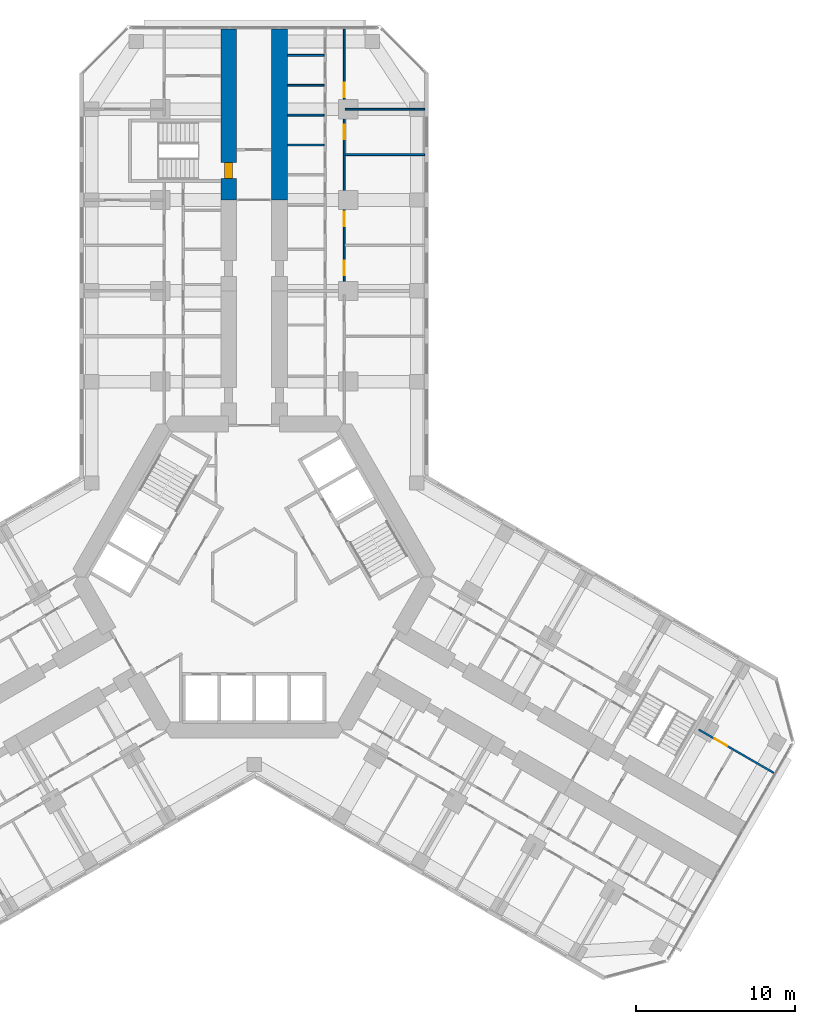
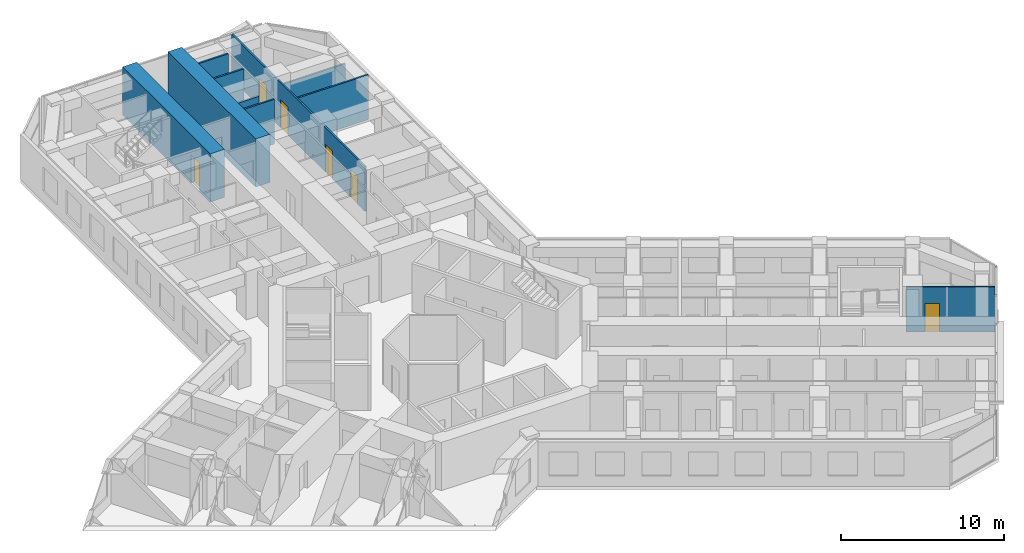
# One storey, part 20 of 22: 10 walls, 6 doors, 6 openings.
"""IFC4 building model written with IfcOpenShell, lengths in metres."""

from ifc_helpers import new_model, si_unit, direction, frame, frame_2d, origin, place, context, subcontext, project, spatial, rectangle, extrude, material, layer, layer_set, type_object, element, fill, save


model = new_model("IFC4")

# Units and contexts
model_context = context("Model", 3, precision=1e-05, world=origin(), true_north=direction((0.0, 1.0)))
body_context = subcontext(model_context, "Body", "Model", "MODEL_VIEW")
ifc_project = project(units=[si_unit("LENGTHUNIT", "METRE"), si_unit("AREAUNIT", "SQUARE_METRE"), si_unit("VOLUMEUNIT", "CUBIC_METRE"), si_unit("PLANEANGLEUNIT", "RADIAN"), si_unit("MASSUNIT", "GRAM", prefix="KILO")], contexts=[model_context])

# Site, building, storey
site_placement = place(None, origin())
site = spatial("IfcSite", under=ifc_project, at=site_placement, CompositionType="ELEMENT")
building_placement = place(site_placement, origin())
building = spatial("IfcBuilding", under=site, at=building_placement, Name="Kosmar Iwan School Tower", CompositionType="ELEMENT")
storey_placement = place(building_placement, frame((0.0, 0.0, 95.199951171875)))
storey = spatial("IfcBuildingStorey", under=building, at=storey_placement, Name="L23", CompositionType="ELEMENT", Elevation=95.199951171875)

# Wall, opening, door
ifc_material_1 = material(Name="Concrete C50/60", Category="concrete")
ifc_layer_1 = layer(ifc_material_1, 1.0)
ifc_layer_set_1 = layer_set([ifc_layer_1], Name="Corridor buttress wall 1000")
wall_type_1 = type_object("IfcWallType", Name="Corridor buttress wall 1000", PredefinedType="SHEAR", material=ifc_layer_set_1)
wall_1_placement = place(storey_placement, frame((-1.60009765625, 23.64990234375, 0.0), z_axis=(0.0, 0.0, 1.0), x_axis=(0.0, 1.0, 0.0)))
wall_1 = element("IfcWall", 1, at=wall_1_placement, inside=storey, type_object=wall_type_1, Name="Corridor wall AL bay 3", PredefinedType="SHEAR", context=body_context, shape_type="SweptSolid", body=[
    extrude(rectangle(XDim=10.7451171875, YDim=1.0, at=frame_2d((5.37255859375, 0.0))), origin(), (0.0, 0.0, 1.0), 3.60009765625),
])
opening_1_placement = place(wall_1_placement, frame((1.35009765625, 0.0, 0.0)))
opening_1 = element("IfcOpeningElement", 2, at=opening_1_placement, cuts=wall_1, Name="Opening D6", PredefinedType="OPENING", context=body_context, shape_type="SweptSolid", body=[
    extrude(rectangle(XDim=1.0, YDim=2.10009765625, at=frame_2d((0.5, 1.050048828125))), frame((0.0, 0.511962890625, 0.0), z_axis=(0.0, -1.0, 0.0), x_axis=(1.0, 0.0, 0.0)), (0.0, 0.0, 1.0), 1.02392578125),
])
ifc_material_2 = material(Name="Steel fire door", Category="steel")
door_type_1 = type_object("IfcDoorType", Name="Stair door 1000x2100", OperationType="SINGLE_SWING_LEFT", PredefinedType="DOOR", material=ifc_material_2)
door_1_placement = place(opening_1_placement, origin())
door_1 = element("IfcDoor", 3, at=door_1_placement, inside=storey, type_object=door_type_1, Name="Stair WS1 door L23", OperationType="SINGLE_SWING_LEFT", OverallHeight=2.10009765625, OverallWidth=1.0, PredefinedType="DOOR", context=body_context, shape_type="SweptSolid", body=[
    extrude(rectangle(XDim=1.0, YDim=2.10009765625, at=frame_2d((0.5, 1.050048828125))), frame((0.0, 0.25, 0.0), z_axis=(0.0, -1.0, 0.0), x_axis=(1.0, 0.0, 0.0)), (0.0, 0.0, 1.0), 0.5),
])
fill(opening_1, door_1)

# Wall
wall_2_placement = place(storey_placement, frame((1.60009765625, 23.64990234375, 0.0), z_axis=(0.0, 0.0, 1.0), x_axis=(0.0, 1.0, 0.0)))
element("IfcWall", 4, at=wall_2_placement, inside=storey, type_object=wall_type_1, Name="Corridor wall AR bay 3", PredefinedType="SHEAR", context=body_context, shape_type="SweptSolid", body=[
    extrude(rectangle(XDim=10.7451171875, YDim=1.0, at=frame_2d((5.37255859375, 0.0))), origin(), (0.0, 0.0, 1.0), 3.60009765625),
])

# Wall, openings, doors
ifc_material_3 = material(Name="Gypsum board on steel studs", Category="steel")
ifc_layer_2 = layer(ifc_material_3, 0.1201171875)
ifc_layer_set_2 = layer_set([ifc_layer_2], Name="Dwelling partition 120")
wall_type_2 = type_object("IfcWallType", Name="Dwelling partition 120", PredefinedType="PARTITIONING", material=ifc_layer_set_2)
wall_3_placement = place(storey_placement, frame((5.64990234375, 18.050048828125, 0.0), z_axis=(0.0, 0.0, 1.0), x_axis=(0.0, 1.0, 0.0)))
wall_3 = element("IfcWall", 5, at=wall_3_placement, inside=storey, type_object=wall_type_2, Name="Partition L23-AR2-W2", PredefinedType="PARTITIONING", context=body_context, shape_type="SweptSolid", body=[
    extrude(rectangle(XDim=16.344970703125, YDim=0.1201171875, at=frame_2d((8.17236328125, 0.0))), origin(), (0.0, 0.0, 1.0), 3.35009765625),
])
opening_2_placement = place(wall_3_placement, frame((0.875, 0.0, 0.0)))
opening_2 = element("IfcOpeningElement", 6, at=opening_2_placement, cuts=wall_3, Name="Opening D2", PredefinedType="OPENING", context=body_context, shape_type="SweptSolid", body=[
    extrude(rectangle(XDim=0.89990234375, YDim=2.10009765625, at=frame_2d((0.449951171875, 1.050048828125))), frame((0.0, 0.072021484375, 0.0), z_axis=(0.0, -1.0, 0.0), x_axis=(1.0, 0.0, 0.0)), (0.0, 0.0, 1.0), 0.14404296875),
])
opening_3_placement = place(wall_3_placement, frame((3.949951171875, 0.0, 0.0)))
opening_3 = element("IfcOpeningElement", 7, at=opening_3_placement, cuts=wall_3, Name="Opening D2", PredefinedType="OPENING", context=body_context, shape_type="SweptSolid", body=[
    extrude(rectangle(XDim=0.89990234375, YDim=2.10009765625, at=frame_2d((0.449951171875, 1.050048828125))), frame((0.0, 0.072021484375, 0.0), z_axis=(0.0, -1.0, 0.0), x_axis=(1.0, 0.0, 0.0)), (0.0, 0.0, 1.0), 0.14404296875),
])
opening_4_placement = place(wall_3_placement, frame((9.425048828125, 0.0, 0.0)))
opening_4 = element("IfcOpeningElement", 8, at=opening_4_placement, cuts=wall_3, Name="Opening D2", PredefinedType="OPENING", context=body_context, shape_type="SweptSolid", body=[
    extrude(rectangle(XDim=0.89990234375, YDim=2.10009765625, at=frame_2d((0.449951171875, 1.050048828125))), frame((0.0, 0.072021484375, 0.0), z_axis=(0.0, -1.0, 0.0), x_axis=(1.0, 0.0, 0.0)), (0.0, 0.0, 1.0), 0.14404296875),
])
opening_5_placement = place(wall_3_placement, frame((12.050048828125, 0.0, 0.0)))
opening_5 = element("IfcOpeningElement", 9, at=opening_5_placement, cuts=wall_3, Name="Opening D2", PredefinedType="OPENING", context=body_context, shape_type="SweptSolid", body=[
    extrude(rectangle(XDim=0.89990234375, YDim=2.10009765625, at=frame_2d((0.449951171875, 1.050048828125))), frame((0.0, 0.072021484375, 0.0), z_axis=(0.0, -1.0, 0.0), x_axis=(1.0, 0.0, 0.0)), (0.0, 0.0, 1.0), 0.14404296875),
])
ifc_material_4 = material(Name="Timber door in timber frame", Category="wood")
door_type_2 = type_object("IfcDoorType", Name="Internal door 900x2100", OperationType="SINGLE_SWING_LEFT", PredefinedType="DOOR", material=ifc_material_4)
door_2_placement = place(opening_2_placement, origin())
door_2 = element("IfcDoor", 10, at=door_2_placement, inside=storey, type_object=door_type_2, Name="Bedroom 1 door L23-AR2-F1", OperationType="SINGLE_SWING_LEFT", OverallHeight=2.10009765625, OverallWidth=0.89990234375, PredefinedType="DOOR", context=body_context, shape_type="SweptSolid", body=[
    extrude(rectangle(XDim=0.89990234375, YDim=2.10009765625, at=frame_2d((0.449951171875, 1.050048828125))), frame((0.0, 0.02490234375, 0.0), z_axis=(0.0, -1.0, 0.0), x_axis=(1.0, 0.0, 0.0)), (0.0, 0.0, 1.0), 0.050048828125),
])
fill(opening_2, door_2)
door_3_placement = place(opening_3_placement, origin())
door_3 = element("IfcDoor", 11, at=door_3_placement, inside=storey, type_object=door_type_2, Name="Living room and kitchen door L23-AR2-F2", OperationType="SINGLE_SWING_LEFT", OverallHeight=2.10009765625, OverallWidth=0.89990234375, PredefinedType="DOOR", context=body_context, shape_type="SweptSolid", body=[
    extrude(rectangle(XDim=0.89990234375, YDim=2.10009765625, at=frame_2d((0.449951171875, 1.050048828125))), frame((0.0, 0.02490234375, 0.0), z_axis=(0.0, -1.0, 0.0), x_axis=(1.0, 0.0, 0.0)), (0.0, 0.0, 1.0), 0.050048828125),
])
fill(opening_3, door_3)
door_4_placement = place(opening_4_placement, origin())
door_4 = element("IfcDoor", 12, at=door_4_placement, inside=storey, type_object=door_type_2, Name="Winter garden door L23-AR2-F3", OperationType="SINGLE_SWING_RIGHT", OverallHeight=2.10009765625, OverallWidth=0.89990234375, PredefinedType="DOOR", context=body_context, shape_type="SweptSolid", body=[
    extrude(rectangle(XDim=0.89990234375, YDim=2.10009765625, at=frame_2d((0.449951171875, 1.050048828125))), frame((0.0, 0.02490234375, 0.0), z_axis=(0.0, -1.0, 0.0), x_axis=(1.0, 0.0, 0.0)), (0.0, 0.0, 1.0), 0.050048828125),
])
fill(opening_4, door_4)
door_5_placement = place(opening_5_placement, origin())
door_5 = element("IfcDoor", 13, at=door_5_placement, inside=storey, type_object=door_type_2, Name="Bedroom 2 door L23-AR2-F4", OperationType="SINGLE_SWING_RIGHT", OverallHeight=2.10009765625, OverallWidth=0.89990234375, PredefinedType="DOOR", context=body_context, shape_type="SweptSolid", body=[
    extrude(rectangle(XDim=0.89990234375, YDim=2.10009765625, at=frame_2d((0.449951171875, 1.050048828125))), frame((0.0, 0.02490234375, 0.0), z_axis=(0.0, -1.0, 0.0), x_axis=(1.0, 0.0, 0.0)), (0.0, 0.0, 1.0), 0.050048828125),
])
fill(opening_5, door_5)

# Walls
wall_4_placement = place(storey_placement, frame((5.7099609375, 26.5, 0.0), z_axis=(0.0, 0.0, 1.0), x_axis=(1.0, 0.0, 0.0)))
element("IfcWall", 14, at=wall_4_placement, inside=storey, type_object=wall_type_2, Name="Partition L23-AR2-X2", PredefinedType="PARTITIONING", context=body_context, shape_type="SweptSolid", body=[
    extrude(rectangle(XDim=4.989990234375, YDim=0.1201171875, at=frame_2d((2.4951171875, 0.0))), origin(), (0.0, 0.0, 1.0), 3.35009765625),
])
wall_5_placement = place(storey_placement, frame((5.7099609375, 29.35009765625, 0.0), z_axis=(0.0, 0.0, 1.0), x_axis=(1.0, 0.0, 0.0)))
element("IfcWall", 15, at=wall_5_placement, inside=storey, type_object=wall_type_2, Name="Partition L23-AR2-X3", PredefinedType="PARTITIONING", context=body_context, shape_type="SweptSolid", body=[
    extrude(rectangle(XDim=4.989990234375, YDim=0.1201171875, at=frame_2d((2.4951171875, 0.0))), origin(), (0.0, 0.0, 1.0), 2.449951171875),
])
wall_6_placement = place(storey_placement, frame((2.10009765625, 27.106689453125, 0.0), z_axis=(0.0, 0.0, 1.0), x_axis=(1.0, 0.0, 0.0)))
element("IfcWall", 16, at=wall_6_placement, inside=storey, type_object=wall_type_2, Name="Partition L23-AR2-Y4", PredefinedType="PARTITIONING", context=body_context, shape_type="SweptSolid", body=[
    extrude(rectangle(XDim=2.289794921875, YDim=0.1201171875, at=frame_2d((1.14501953125, 0.0))), origin(), (0.0, 0.0, 1.0), 3.35009765625),
])
wall_7_placement = place(storey_placement, frame((2.10009765625, 28.97998046875, 0.0), z_axis=(0.0, 0.0, 1.0), x_axis=(1.0, 0.0, 0.0)))
element("IfcWall", 17, at=wall_7_placement, inside=storey, type_object=wall_type_2, Name="Partition L23-AR2-Y5", PredefinedType="PARTITIONING", context=body_context, shape_type="SweptSolid", body=[
    extrude(rectangle(XDim=2.289794921875, YDim=0.1201171875, at=frame_2d((1.14501953125, 0.0))), origin(), (0.0, 0.0, 1.0), 2.449951171875),
])
for number, where, z_axis, x_axis, name in (
    (18, (2.10009765625, 30.853271484375, 0.0), (0.0, 0.0, 1.0), (1.0, 0.0, 0.0), "Partition L23-AR2-Y6"),
    (19, (2.10009765625, 32.7265625, 0.0), (0.0, 0.0, 1.0), (1.0, 0.0, 0.0), "Partition L23-AR2-Y7"),
):
    element("IfcWall", number, at=place(storey_placement, frame(where, z_axis=z_axis, x_axis=x_axis)), inside=storey, type_object=wall_type_2, Name=name, PredefinedType="PARTITIONING", context=body_context, shape_type="SweptSolid", body=[
        extrude(rectangle(XDim=2.289794921875, YDim=0.1201171875, at=frame_2d((1.14501953125, 0.0))), origin(), (0.0, 0.0, 1.0), 3.35009765625),
    ])

# Wall, opening, door
wall_8_placement = place(storey_placement, frame((27.896484375, -9.58203125, 0.0), z_axis=(0.0, 0.0, 1.0), x_axis=(0.866035508231, -0.499982498177, 0.0)))
wall_8 = element("IfcWall", 20, at=wall_8_placement, inside=storey, type_object=wall_type_2, Name="Partition L23-CL2-TW", PredefinedType="PARTITIONING", context=body_context, shape_type="SweptSolid", body=[
    extrude(rectangle(XDim=5.445068359375, YDim=0.1201171875, at=frame_2d((2.72265625, 0.0))), origin(), (0.0, 0.0, 1.0), 3.35009765625),
])
opening_6_placement = place(wall_8_placement, frame((1.14990234375, 0.0, 0.0)))
opening_6 = element("IfcOpeningElement", 21, at=opening_6_placement, cuts=wall_8, Name="Opening D2", PredefinedType="OPENING", context=body_context, shape_type="SweptSolid", body=[
    extrude(rectangle(XDim=0.89990234375, YDim=2.10009765625, at=frame_2d((0.449951171875, 1.050048828125))), frame((0.0, 0.072021484375, 0.0), z_axis=(0.0, -1.0, 0.0), x_axis=(1.0, 0.0, 0.0)), (0.0, 0.0, 1.0), 0.14404296875),
])
door_6_placement = place(opening_6_placement, origin())
door_6 = element("IfcDoor", 22, at=door_6_placement, inside=storey, type_object=door_type_2, Name="Dressing room door L23-CL2-T3", OperationType="SINGLE_SWING_LEFT", OverallHeight=2.10009765625, OverallWidth=0.89990234375, PredefinedType="DOOR", context=body_context, shape_type="SweptSolid", body=[
    extrude(rectangle(XDim=0.89990234375, YDim=2.10009765625, at=frame_2d((0.449951171875, 1.050048828125))), frame((0.0, 0.02490234375, 0.0), z_axis=(0.0, -1.0, 0.0), x_axis=(1.0, 0.0, 0.0)), (0.0, 0.0, 1.0), 0.050048828125),
])
fill(opening_6, door_6)

save(model, "model.ifc")
